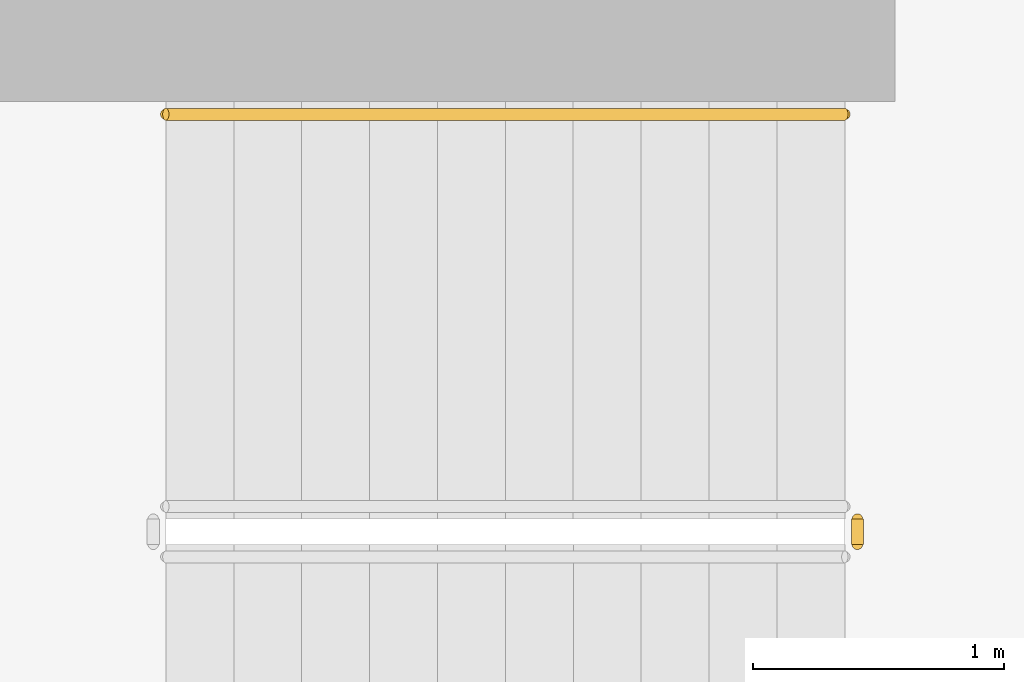
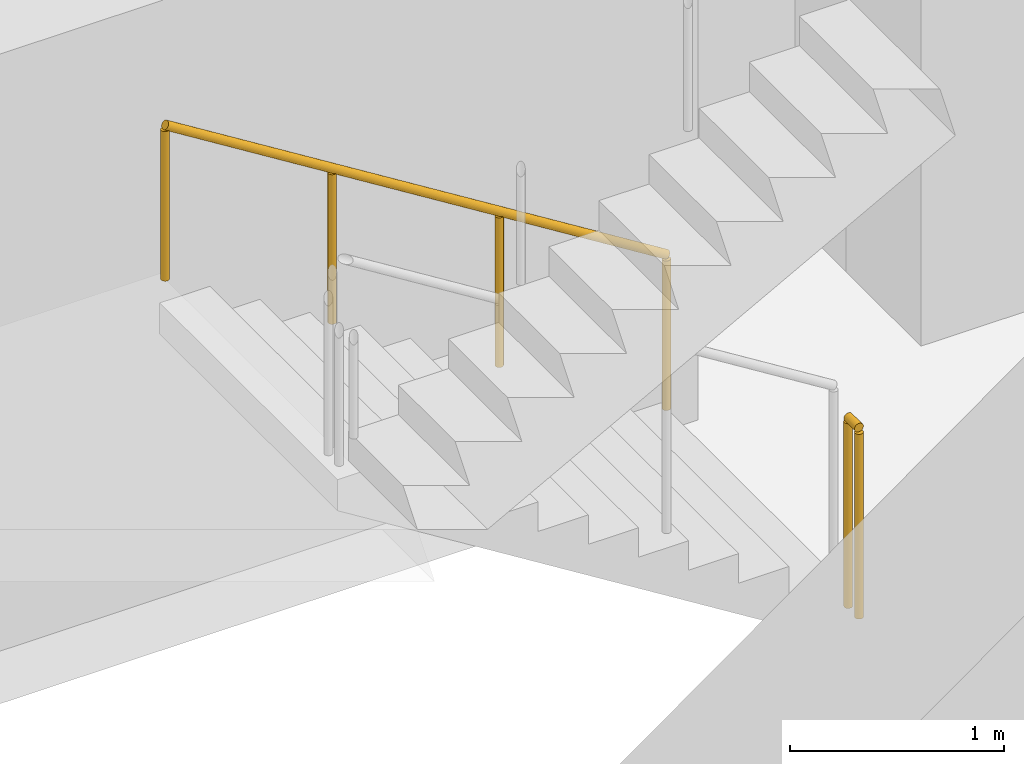
# One storey, part 15 of 16: 2 railings.
"""IFC4 building model written with IfcOpenShell, lengths in metres."""

import ifcopenshell
import ifcopenshell.guid

model = None  # the IFC model being written
_history = None  # IfcOwnerHistory: only IFC2X3 demands one
_inside = {}  # id of a spatial element -> (the spatial element, [elements in it])
_under = {}  # id of a project, library or spatial element -> (it, [spatial elements below it])
_declared = {}  # id of a project -> (the project, [libraries it declares])
_typed = {}  # id of a type object -> (the type object, [elements of that type])
_made_of = {}  # id of a material, layer set ... -> (it, [elements and type objects made of it])


def new_model(schema):
    """Start an empty IFC model of exactly this schema.

    Asked for "IFC4X3", IfcOpenShell would pick the latest addendum, in which some entities
    have other attributes; the version numbers below select the first issue.
    IFC2X3 requires an IfcOwnerHistory on every rooted entity: one is made here for all.
    """
    global model, _history
    if schema == "IFC4X3":
        model = ifcopenshell.file(schema_version=(4, 3, 0, 0))
    else:
        model = ifcopenshell.file(schema=schema)
    _inside.clear()
    _under.clear()
    _declared.clear()
    _typed.clear()
    _made_of.clear()
    _history = None
    if model.schema == "IFC2X3":
        org = make("IfcOrganization", Name="unknown")
        user = make(
            "IfcPersonAndOrganization",
            ThePerson=make("IfcPerson", FamilyName="unknown"),
            TheOrganization=org,
        )
        app = make(
            "IfcApplication",
            ApplicationDeveloper=org,
            Version="unknown",
            ApplicationFullName="unknown",
            ApplicationIdentifier="unknown",
        )
        _history = make(
            "IfcOwnerHistory",
            OwningUser=user,
            OwningApplication=app,
            ChangeAction="ADDED",
            CreationDate=0,
        )
    return model


def make(cls, **values):
    """One entity of the class cls with the attributes given. An attribute that is None is left unset."""
    return model.create_entity(
        cls, **{name: value for name, value in values.items() if value is not None}
    )


def rooted(cls, **values):
    """An entity with a GlobalId (a new one), such as an element, a storey or a relation."""
    return make(cls, GlobalId=ifcopenshell.guid.new(), OwnerHistory=_history, **values)


def si_unit(unit_type, name, prefix=None):
    """IfcSIUnit, for example si_unit("LENGTHUNIT", "METRE", prefix="MILLI")."""
    return make("IfcSIUnit", UnitType=unit_type, Prefix=prefix, Name=name)


def assignment(units):
    """IfcUnitAssignment: the units of a project."""
    return None if units is None else make("IfcUnitAssignment", Units=units)


def point(xyz):
    """IfcCartesianPoint."""
    return None if xyz is None else make("IfcCartesianPoint", Coordinates=xyz)


def direction(xyz):
    """IfcDirection."""
    return None if xyz is None else make("IfcDirection", DirectionRatios=xyz)


def frame(location, z_axis=None, x_axis=None):
    """IfcAxis2Placement3D, a coordinate frame: its origin and axes. An axis left out is left unset."""
    return make(
        "IfcAxis2Placement3D",
        Location=point(location),
        Axis=direction(z_axis),
        RefDirection=direction(x_axis),
    )


def frame_2d(location, x_axis=None):
    """IfcAxis2Placement2D, a coordinate frame in the plane: its origin and x axis."""
    return make(
        "IfcAxis2Placement2D", Location=point(location), RefDirection=direction(x_axis)
    )


def origin():
    """The frame at (0, 0, 0) with its axes left unset."""
    return frame((0.0, 0.0, 0.0))


def origin_2d():
    """The frame at (0, 0) in the plane with its x axis left unset."""
    return frame_2d((0.0, 0.0))


def place(relative_to, where):
    """IfcLocalPlacement: puts the frame where relative to a parent placement (None: the world)."""
    return make(
        "IfcLocalPlacement", PlacementRelTo=relative_to, RelativePlacement=where
    )


def context(
    kind, dimensions, precision=None, world=None, true_north=None, identifier=None
):
    """IfcGeometricRepresentationContext, for example the 3D "Model" context."""
    return make(
        "IfcGeometricRepresentationContext",
        ContextIdentifier=identifier,
        ContextType=kind,
        CoordinateSpaceDimension=dimensions,
        Precision=precision,
        WorldCoordinateSystem=world,
        TrueNorth=true_north,
    )


def subcontext(parent, identifier, kind, view, scale=None):
    """IfcGeometricRepresentationSubContext, for example "Body" below "Model"."""
    return make(
        "IfcGeometricRepresentationSubContext",
        ContextIdentifier=identifier,
        ContextType=kind,
        ParentContext=parent,
        TargetScale=scale,
        TargetView=view,
    )


def project(units=None, contexts=None):
    """IfcProject with its units and contexts."""
    return rooted(
        "IfcProject",
        Name="project",
        RepresentationContexts=contexts,
        UnitsInContext=assignment(units),
    )


def spatial(cls, under=None, at=None, **own):
    """A site, building, storey or space (cls), placed at a placement, below another one or the project."""
    s = rooted(cls, ObjectPlacement=at, **own)
    if under is not None:
        _under.setdefault(under.id(), (under, []))[1].append(s)
    return s


def profile(cls, at=None, kind="AREA", **sizes):
    """A parametric profile (cls). Its sizes go by their IFC names, for example OverallWidth=200.0."""
    return make(cls, ProfileType=kind, Position=at, **sizes)


def circle(**sizes):
    """IfcCircleProfileDef."""
    return profile("IfcCircleProfileDef", **sizes)


def extrude(swept, where, along, depth):
    """IfcExtrudedAreaSolid: the profile swept, set in the frame where, extruded along a direction by depth."""
    return make(
        "IfcExtrudedAreaSolid",
        SweptArea=swept,
        Position=where,
        ExtrudedDirection=direction(along),
        Depth=depth,
    )


def shape(context_of_items, identifier, shape_type, items):
    """IfcShapeRepresentation: the items that make up one representation, for example the "Body"."""
    return make(
        "IfcShapeRepresentation",
        ContextOfItems=context_of_items,
        RepresentationIdentifier=identifier,
        RepresentationType=shape_type,
        Items=items,
    )


def material(Name=None, Category=None):
    """IfcMaterial."""
    return make("IfcMaterial", Name=Name, Category=Category)


def made_of(thing, what):
    """Note that an element or type object is made of a material, layer set ...; save() writes the relation."""
    if what is not None:
        _made_of.setdefault(what.id(), (what, []))[1].append(thing)
    return thing


def type_object(cls, material=None, **own):
    """A type object (cls), such as IfcWallType, which elements share."""
    return made_of(rooted(cls, **own), material)


def element(
    cls,
    number,
    at=None,
    inside=None,
    cuts=None,
    type_object=None,
    material=None,
    context=None,
    identifier="Body",
    shape_type=None,
    held_by="IfcProductDefinitionShape",
    body=None,
    shapes=None,
    **own,
):
    """One element of the class cls, such as IfcWall. Its Tag is "e" and its number.

    at: its placement. inside: the storey or other place that contains it. cuts: it is an
    opening in that element (IfcRelVoidsElement). A single representation is given by context,
    identifier, shape_type and body (its items); several are given by shapes. held_by: the class
    of the entity that holds the representations. save() writes the other relations.
    """
    e = rooted(cls, Tag="e%d" % number, ObjectPlacement=at, **own)
    if body is not None:
        shapes = [shape(context, identifier, shape_type, body)]
    if shapes is not None:
        e.Representation = make(held_by, Representations=shapes)
    if inside is not None:
        _inside.setdefault(inside.id(), (inside, []))[1].append(e)
    if cuts is not None:
        rooted(
            "IfcRelVoidsElement", RelatingBuildingElement=cuts, RelatedOpeningElement=e
        )
    if type_object is not None:
        _typed.setdefault(type_object.id(), (type_object, []))[1].append(e)
    return made_of(e, material)


def aggregate(whole, parts):
    """IfcRelAggregates: a whole, such as a stair, and the parts it consists of."""
    return rooted("IfcRelAggregates", RelatingObject=whole, RelatedObjects=parts)


def save(model, path):
    """Write the relations noted so far, then the file.

    IfcRelAggregates (storeys below a building ...), IfcRelContainedInSpatialStructure (elements
    in a storey), IfcRelDefinesByType, IfcRelAssociatesMaterial and IfcRelDeclares: one each for
    every whole, place, type object, material and project.
    """
    for whole, parts in _under.values():
        aggregate(whole, parts)
    for where, things in _inside.values():
        rooted(
            "IfcRelContainedInSpatialStructure",
            RelatedElements=things,
            RelatingStructure=where,
        )
    for kind, things in _typed.values():
        rooted("IfcRelDefinesByType", RelatedObjects=things, RelatingType=kind)
    for what, things in _made_of.values():
        rooted("IfcRelAssociatesMaterial", RelatedObjects=things, RelatingMaterial=what)
    for by, libraries in _declared.values():
        rooted("IfcRelDeclares", RelatingContext=by, RelatedDefinitions=libraries)
    model.write(path)


model = new_model("IFC4")

# Units and contexts
model_context = context("Model", 3, precision=1e-05, world=origin(), true_north=direction((0.0, 1.0)))
body_context = subcontext(model_context, "Body", "Model", "MODEL_VIEW")
ifc_project = project(units=[si_unit("LENGTHUNIT", "METRE"), si_unit("AREAUNIT", "SQUARE_METRE"), si_unit("VOLUMEUNIT", "CUBIC_METRE"), si_unit("PLANEANGLEUNIT", "RADIAN"), si_unit("MASSUNIT", "GRAM", prefix="KILO")], contexts=[model_context])

# Site, building, storey
site_placement = place(None, origin())
site = spatial("IfcSite", under=ifc_project, at=site_placement, CompositionType="ELEMENT")
building_placement = place(site_placement, origin())
building = spatial("IfcBuilding", under=site, at=building_placement, Name="Vermilion Reach Broadcast Tower", CompositionType="ELEMENT")
storey_placement = place(building_placement, frame((0.0, 0.0, 47.10009765625)))
storey = spatial("IfcBuildingStorey", under=building, at=storey_placement, Name="L08", CompositionType="ELEMENT", Elevation=47.10009765625)

# Railings
ifc_material_1 = material(Name="Stainless steel", Category="steel")
railing_type_1 = type_object("IfcRailingType", Name="Stair guard 1100", PredefinedType="GUARDRAIL", material=ifc_material_1)
railing_1_placement = place(storey_placement, frame((-0.949951171875, 5.639892578125, 0.0)))
element("IfcRailing", 1, at=railing_1_placement, inside=storey, type_object=railing_type_1, Name="L08 ST2 stair guard 4", PredefinedType="GUARDRAIL", context=body_context, shape_type="SweptSolid", body=[
    extrude(circle(Radius=0.02392578125, at=origin_2d()), frame((0.0, 0.0, 1.076171875), z_axis=(0.0, -1.0, 0.0), x_axis=(1.0, 0.0, 0.0)), (0.0, 0.0, 1.0), 0.099853515625),
    extrude(circle(Radius=0.02099609375, at=origin_2d()), origin(), (0.0, 0.0, 1.0), 1.052001953125),
    extrude(circle(Radius=0.02099609375, at=origin_2d()), frame((0.0, -0.099853515625, 0.0)), (0.0, 0.0, 1.0), 1.052001953125),
])
ifc_material_2 = material(Name="Stainless steel", Category="steel")
railing_type_2 = type_object("IfcRailingType", Name="Stair handrail", PredefinedType="HANDRAIL", material=ifc_material_2)
railing_2_placement = place(storey_placement, frame((-1.0, 7.25, 0.16796875)))
element("IfcRailing", 2, at=railing_2_placement, inside=storey, type_object=railing_type_2, Name="L08 ST2 stair handrail 1", PredefinedType="HANDRAIL", context=body_context, shape_type="SweptSolid", body=[
    extrude(circle(Radius=0.02392578125, at=origin_2d()), frame((0.0, 0.0, 0.8759765625), z_axis=(-0.848786430784, 0.0, 0.528735846068), x_axis=(0.0, -1.0, 0.0)), (0.0, 0.0, 1.0), 3.180908203125),
    extrude(circle(Radius=0.02099609375, at=origin_2d()), origin(), (0.0, 0.0, 1.0), 0.851806640625),
    extrude(circle(Radius=0.02099609375, at=origin_2d()), frame((-0.89990234375, 0.0, 0.560546875)), (0.0, 0.0, 1.0), 0.851806640625),
    extrude(circle(Radius=0.02099609375, at=origin_2d()), frame((-1.800048828125, 0.0, 1.121337890625)), (0.0, 0.0, 1.0), 0.851806640625),
    extrude(circle(Radius=0.02099609375, at=origin_2d()), frame((-2.699951171875, 0.0, 1.681884765625)), (0.0, 0.0, 1.0), 0.851806640625),
])

save(model, "model.ifc")
